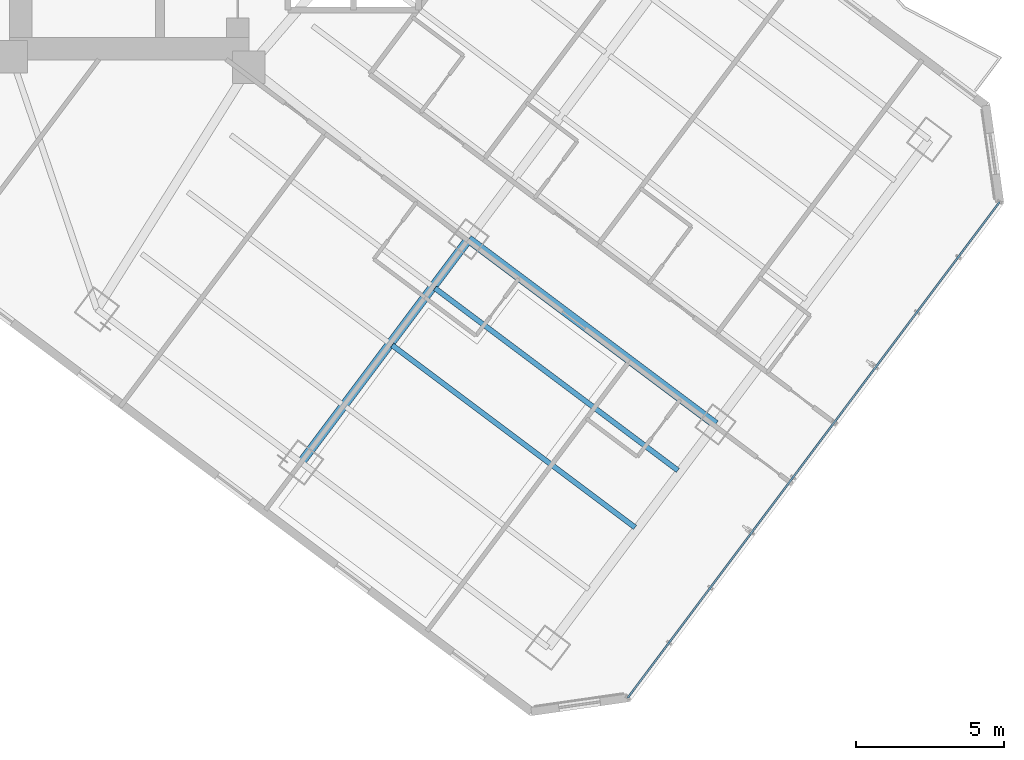
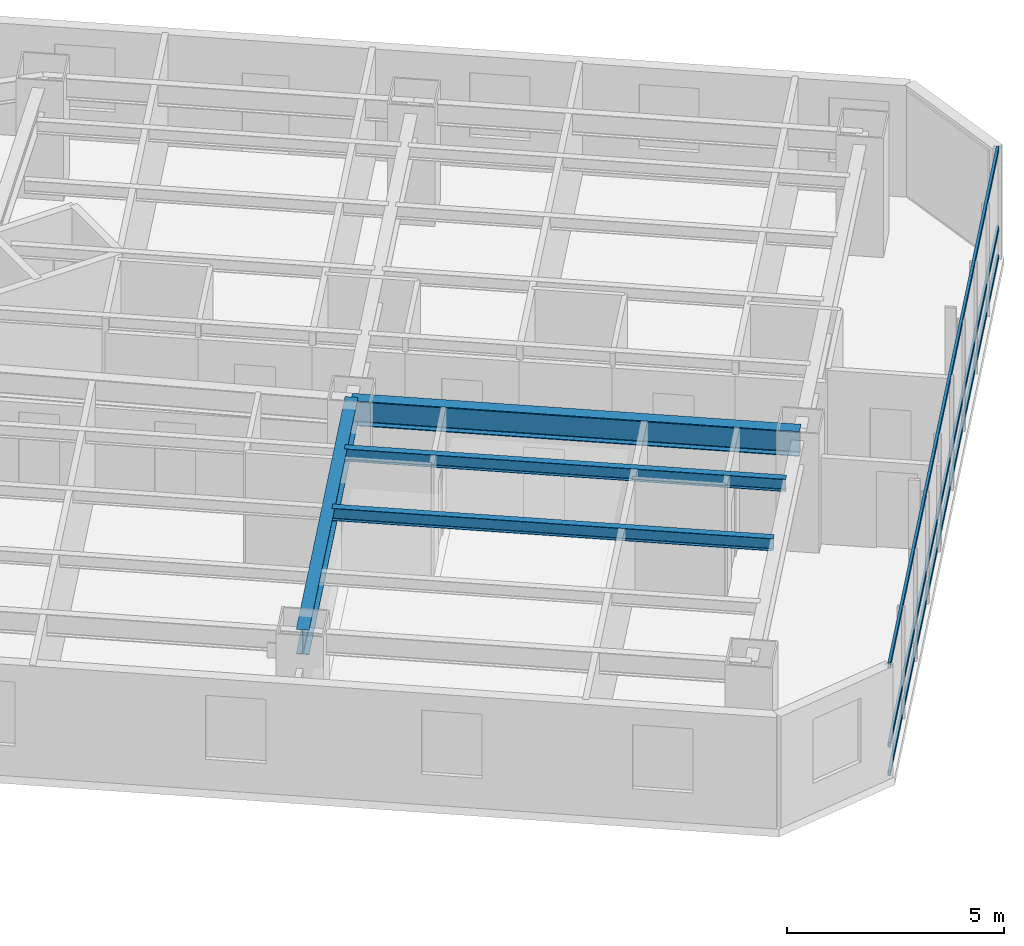
# One storey, part 9 of 37: 4 beams, 3 members, 1 element without a shape of its own.
"""IFC4 building model written with IfcOpenShell, lengths in metres."""

from ifc_helpers import new_model, si_unit, direction, frame, origin, origin_2d, place, context, subcontext, project, spatial, hollow_rectangle, i_section, extrude, material, layer, layer_set, material_profile, profile_set, type_object, element, aggregate, save


model = new_model("IFC4")

# Units and contexts
model_context = context("Model", 3, precision=1e-05, world=origin(), true_north=direction((0.0, 1.0)))
body_context = subcontext(model_context, "Body", "Model", "MODEL_VIEW")
ifc_project = project(units=[si_unit("LENGTHUNIT", "METRE"), si_unit("AREAUNIT", "SQUARE_METRE"), si_unit("VOLUMEUNIT", "CUBIC_METRE"), si_unit("PLANEANGLEUNIT", "RADIAN"), si_unit("MASSUNIT", "GRAM", prefix="KILO")], contexts=[model_context])

# Site, building, storey
site_placement = place(None, origin())
site = spatial("IfcSite", under=ifc_project, at=site_placement, CompositionType="ELEMENT")
building_placement = place(site_placement, origin())
building = spatial("IfcBuilding", under=site, at=building_placement, Name="Hatsunagi Terrace Concourse", CompositionType="ELEMENT")
storey_placement = place(building_placement, frame((0.0, 0.0, 50.0)))
storey = spatial("IfcBuildingStorey", under=building, at=storey_placement, Name="L12", CompositionType="ELEMENT", Elevation=50.0)

# Curtain wall, members
ifc_material_1 = material(Name="Anodised Aluminium Alloy 6063-T5", Category="aluminium")
ifc_layer = layer(ifc_material_1, 0.199951171875)
ifc_layer_set = layer_set([ifc_layer], Name="HotelFacade_CW02")
curtain_wall_type = type_object("IfcCurtainWallType", Name="HotelFacade_CW02", PredefinedType="NOTDEFINED", material=ifc_layer_set)
curtain_wall_placement = place(storey_placement, origin())
curtain_wall = element("IfcCurtainWall", 1, at=curtain_wall_placement, inside=storey, type_object=curtain_wall_type, Name="Unitised Curtain Wall CW-02 CW-L12-03", PredefinedType="NOTDEFINED")
ifc_material_2 = material(Name="Anodised Aluminium Alloy 6063-T5", Category="aluminium")
ifc_material_profile_1 = material_profile(ifc_material_2, hollow_rectangle(XDim=0.06494140625, YDim=0.139892578125, WallThickness=0.00390625, at=origin_2d()), Name="ALU-TRN-140x65x4")
ifc_profile_set_1 = profile_set([ifc_material_profile_1], Name="Anodised Aluminium Alloy 6063-T5")
member_type = type_object("IfcMemberType", Name="CurtainWallTransom_140x65", PredefinedType="USERDEFINED", material=ifc_profile_set_1)
member_1_placement = place(storey_placement, frame((69.093017578125, 19.657958984375, 0.050048828125), z_axis=(-0.599970072971, -0.800022444397, 0.0), x_axis=(0.800022444397, -0.599970072971, 0.0)))
member_1 = element("IfcMember", 2, at=member_1_placement, type_object=member_type, Name="Curtain Wall Transom TRN-02", ObjectType="TRANSOM", PredefinedType="USERDEFINED", context=body_context, shape_type="SweptSolid", body=[
    extrude(hollow_rectangle(XDim=0.06494140625, YDim=0.139892578125, WallThickness=0.00390625, at=origin_2d()), origin(), (0.0, 0.0, 1.0), 20.884521484375),
])
member_2_placement = place(storey_placement, frame((69.093017578125, 19.657958984375, 0.85009765625), z_axis=(-0.599970072971, -0.800022444397, 0.0), x_axis=(0.800022444397, -0.599970072971, 0.0)))
member_2 = element("IfcMember", 3, at=member_2_placement, type_object=member_type, Name="Curtain Wall Transom TRN-02", ObjectType="TRANSOM", PredefinedType="USERDEFINED", context=body_context, shape_type="SweptSolid", body=[
    extrude(hollow_rectangle(XDim=0.06494140625, YDim=0.139892578125, WallThickness=0.00390625, at=origin_2d()), origin(), (0.0, 0.0, 1.0), 20.884521484375),
])
member_3_placement = place(storey_placement, frame((69.093017578125, 19.657958984375, 3.080078125), z_axis=(-0.599970072971, -0.800022444397, 0.0), x_axis=(0.800022444397, -0.599970072971, 0.0)))
member_3 = element("IfcMember", 4, at=member_3_placement, type_object=member_type, Name="Curtain Wall Transom TRN-02", ObjectType="TRANSOM", PredefinedType="USERDEFINED", context=body_context, shape_type="SweptSolid", body=[
    extrude(hollow_rectangle(XDim=0.06494140625, YDim=0.139892578125, WallThickness=0.00390625, at=origin_2d()), origin(), (0.0, 0.0, 1.0), 20.884521484375),
])
aggregate(curtain_wall, [member_1, member_2, member_3])

# Beams
ifc_material_3 = material(Name="Steel SN490B", Category="steel")
ifc_material_profile_2 = material_profile(ifc_material_3, i_section(OverallWidth=0.300048828125, OverallDepth=0.699951171875, WebThickness=0.012939453125, FlangeThickness=0.02392578125, FilletRadius=0.02197265625, at=origin_2d()), Name="H-700x300x13x24")
ifc_profile_set_2 = profile_set([ifc_material_profile_2], Name="Steel SN490B")
beam_type_1 = type_object("IfcBeamType", Name="HotelFloorGirder_H_700x300", PredefinedType="BEAM", material=ifc_profile_set_2)
beam_1_placement = place(storey_placement, frame((45.56005859375, 10.8798828125, 2.780029296875), z_axis=(0.599991688754, 0.800006233367, 0.0), x_axis=(-0.800006233367, 0.599991688754, 0.0)))
element("IfcBeam", 5, at=beam_1_placement, inside=storey, type_object=beam_type_1, Name="Beam G-04 BM-L12-SET-2A", PredefinedType="BEAM", context=body_context, shape_type="SweptSolid", body=[
    extrude(i_section(OverallWidth=0.300048828125, OverallDepth=0.699951171875, WebThickness=0.012939453125, FlangeThickness=0.02392578125, FilletRadius=0.02197265625, at=origin_2d()), origin(), (0.0, 0.0, 1.0), 9.39990234375),
])
beam_2_placement = place(storey_placement, frame((51.199951171875, 18.39990234375, 2.780029296875), z_axis=(0.800002816985, -0.599996244001, 0.0), x_axis=(0.599996244001, 0.800002816985, 0.0)))
element("IfcBeam", 6, at=beam_2_placement, inside=storey, type_object=beam_type_1, Name="Beam G-04 BM-L12-SE-M3", PredefinedType="BEAM", context=body_context, shape_type="SweptSolid", body=[
    extrude(i_section(OverallWidth=0.300048828125, OverallDepth=0.699951171875, WebThickness=0.012939453125, FlangeThickness=0.02392578125, FilletRadius=0.02197265625, at=origin_2d()), origin(), (0.0, 0.0, 1.0), 10.400146484375),
])
ifc_material_4 = material(Name="Steel SN490B", Category="steel")
ifc_material_profile_3 = material_profile(ifc_material_4, i_section(OverallWidth=0.175048828125, OverallDepth=0.35009765625, WebThickness=0.007080078125, FlangeThickness=0.010986328125, FilletRadius=0.012939453125, at=origin_2d()), Name="H-350x175x7x11")
ifc_profile_set_3 = profile_set([ifc_material_profile_3], Name="Steel SN490B")
beam_type_2 = type_object("IfcBeamType", Name="HotelJoist_H_350x175", PredefinedType="JOIST", material=ifc_profile_set_3)
beam_3_placement = place(storey_placement, frame((48.6279296875, 14.8291015625, 2.955078125), z_axis=(0.799994272423, -0.600007636694, 0.0), x_axis=(0.600007636694, 0.799994272423, 0.0)))
element("IfcBeam", 7, at=beam_3_placement, inside=storey, type_object=beam_type_2, Name="Beam J-02 J-L12-SE-3-72", PredefinedType="JOIST", context=body_context, shape_type="SweptSolid", body=[
    extrude(i_section(OverallWidth=0.175048828125, OverallDepth=0.35009765625, WebThickness=0.007080078125, FlangeThickness=0.010986328125, FilletRadius=0.012939453125, at=origin_2d()), origin(), (0.0, 0.0, 1.0), 10.230224609375),
])
beam_4_placement = place(storey_placement, frame((50.068115234375, 16.7490234375, 2.955078125), z_axis=(0.799997136125, -0.600003818481, 0.0), x_axis=(0.600003818481, 0.799997136125, 0.0)))
element("IfcBeam", 8, at=beam_4_placement, inside=storey, type_object=beam_type_2, Name="Beam J-02 J-L12-SE-3-96", PredefinedType="JOIST", context=body_context, shape_type="SweptSolid", body=[
    extrude(i_section(OverallWidth=0.175048828125, OverallDepth=0.35009765625, WebThickness=0.007080078125, FlangeThickness=0.010986328125, FilletRadius=0.012939453125, at=origin_2d()), origin(), (0.0, 0.0, 1.0), 10.229736328125),
])

save(model, "model.ifc")
